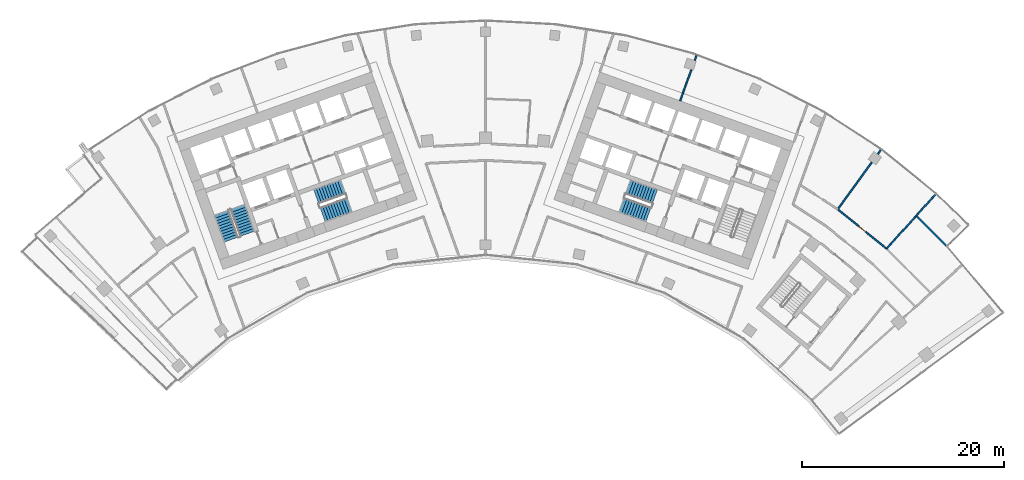
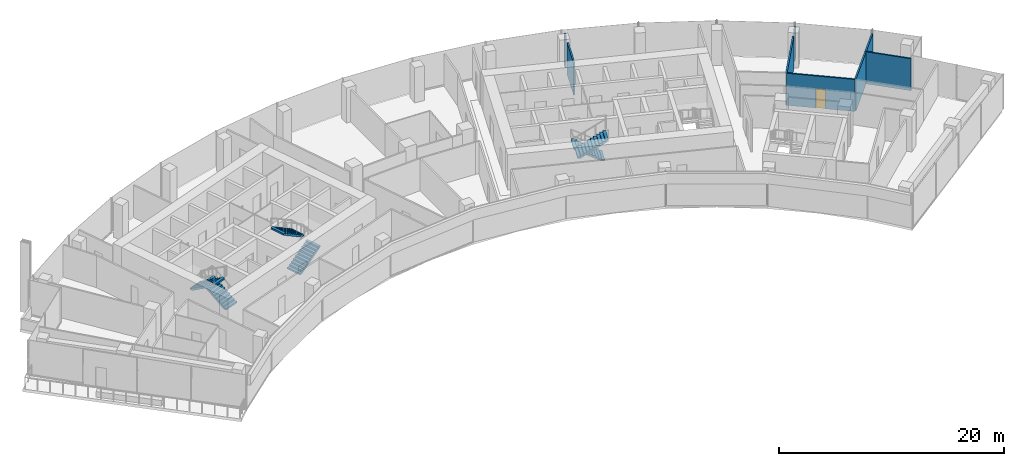
# One storey, part 17 of 20: 8 walls, 6 stair flights, 1 door, 1 opening, 3 elements without a shape of their own.
"""IFC4 building model written with IfcOpenShell, lengths in metres."""

from ifc_helpers import new_model, si_unit, direction, frame, frame_2d, origin, place, context, subcontext, project, spatial, polyline, rectangle, outline, extrude, material, layer, layer_set, type_object, element, fill, aggregate, save


model = new_model("IFC4")

# Units and contexts
model_context = context("Model", 3, precision=1e-05, world=origin(), true_north=direction((0.0, 1.0)))
body_context = subcontext(model_context, "Body", "Model", "MODEL_VIEW")
ifc_project = project(units=[si_unit("LENGTHUNIT", "METRE"), si_unit("AREAUNIT", "SQUARE_METRE"), si_unit("VOLUMEUNIT", "CUBIC_METRE"), si_unit("PLANEANGLEUNIT", "RADIAN"), si_unit("MASSUNIT", "GRAM", prefix="KILO")], contexts=[model_context])

# Site, building, storey
site_placement = place(None, origin())
site = spatial("IfcSite", under=ifc_project, at=site_placement, CompositionType="ELEMENT")
building_placement = place(site_placement, origin())
building = spatial("IfcBuilding", under=site, at=building_placement, Name="Stone Belt Terrace Tower", CompositionType="ELEMENT")
storey_placement = place(building_placement, frame((0.0, 0.0, 216.199951171875)))
storey = spatial("IfcBuildingStorey", under=building, at=storey_placement, Name="L52", CompositionType="ELEMENT", Elevation=216.199951171875)

# Walls
ifc_material_1 = material(Name="Gypsum board partition")
ifc_layer = layer(ifc_material_1, 0.14990234375)
ifc_layer_set = layer_set([ifc_layer], Name="PARTITION 150 EI 60")
wall_type = type_object("IfcWallType", Name="PARTITION 150 EI 60", PredefinedType="PARTITIONING", material=ifc_layer_set)
wall_1_placement = place(storey_placement, frame((20.850830078125, 63.129150390625, 0.0), z_axis=(0.0, 0.0, 1.0), x_axis=(-0.338454301599, -0.940982829667, 0.0)))
element("IfcWall", 1, at=wall_1_placement, inside=storey, type_object=wall_type, Name="L52/wall/i030", PredefinedType="PARTITIONING", context=body_context, shape_type="SweptSolid", body=[
    extrude(rectangle(XDim=0.489013671875, YDim=0.14990234375, at=frame_2d((0.24462890625, 0.0))), origin(), (0.0, 0.0, 1.0), 3.47998046875),
])
wall_2_placement = place(storey_placement, frame((20.343017578125, 61.71826171875, 0.0), z_axis=(0.0, 0.0, 1.0), x_axis=(-0.33855509188, -0.940946571152, 0.0)))
element("IfcWall", 2, at=wall_2_placement, inside=storey, type_object=wall_type, Name="L52/wall/i031", PredefinedType="PARTITIONING", context=body_context, shape_type="SweptSolid", body=[
    extrude(rectangle(XDim=3.260986328125, YDim=0.14990234375, at=frame_2d((1.63037109375, 0.0))), origin(), (0.0, 0.0, 1.0), 3.47998046875),
])

# Wall, opening, door
wall_3_placement = place(storey_placement, frame((34.823974609375, 47.931884765625, 0.0), z_axis=(0.0, 0.0, 1.0), x_axis=(0.777176112755, -0.629283155473, 0.0)))
wall_3 = element("IfcWall", 3, at=wall_3_placement, inside=storey, type_object=wall_type, Name="L52/wall/i062", PredefinedType="PARTITIONING", context=body_context, shape_type="SweptSolid", body=[
    extrude(rectangle(XDim=6.2021484375, YDim=0.14990234375, at=frame_2d((3.10107421875, 0.0))), origin(), (0.0, 0.0, 1.0), 3.47998046875),
])
opening_placement = place(wall_3_placement, frame((2.651123046875, 0.0, 0.0)))
opening = element("IfcOpeningElement", 4, at=opening_placement, cuts=wall_3, Name="Opening D-D3-21", PredefinedType="OPENING", context=body_context, shape_type="SweptSolid", body=[
    extrude(rectangle(XDim=0.89990234375, YDim=2.10009765625, at=frame_2d((0.449951171875, 1.050048828125))), frame((0.0, 0.0849609375, 0.0), z_axis=(0.0, -1.0, 0.0), x_axis=(1.0, 0.0, 0.0)), (0.0, 0.0, 1.0), 0.169921875),
])
ifc_material_2 = material(Name="Timber door leaf", Category="wood")
door_type = type_object("IfcDoorType", Name="OFFICE DOOR 900 X 2100", OperationType="NOTDEFINED", PredefinedType="DOOR", material=ifc_material_2)
door_placement = place(opening_placement, origin())
door = element("IfcDoor", 5, at=door_placement, inside=storey, type_object=door_type, Name="L52/door/i21", OperationType="SINGLE_SWING_RIGHT", OverallHeight=2.10009765625, OverallWidth=0.89990234375, PredefinedType="DOOR", context=body_context, shape_type="SweptSolid", body=[
    extrude(rectangle(XDim=0.89990234375, YDim=2.10009765625, at=frame_2d((0.449951171875, 1.050048828125))), frame((0.0, 0.02490234375, 0.0), z_axis=(0.0, -1.0, 0.0), x_axis=(1.0, 0.0, 0.0)), (0.0, 0.0, 1.0), 0.050048828125),
])
fill(opening, door)

# Walls
wall_4_placement = place(storey_placement, frame((39.087890625, 53.7998046875, 0.0), z_axis=(0.0, 0.0, 1.0), x_axis=(-0.588057050604, -0.808819451568, 0.0)))
element("IfcWall", 6, at=wall_4_placement, inside=storey, type_object=wall_type, Name="L52/wall/i064", PredefinedType="PARTITIONING", context=body_context, shape_type="SweptSolid", body=[
    extrude(rectangle(XDim=0.506591796875, YDim=0.14990234375, at=frame_2d((0.25341796875, 0.0))), origin(), (0.0, 0.0, 1.0), 3.47998046875),
])
wall_5_placement = place(storey_placement, frame((38.196533203125, 52.572998046875, 0.0), z_axis=(0.0, 0.0, 1.0), x_axis=(-0.587741422295, -0.809048836918, 0.0)))
element("IfcWall", 7, at=wall_5_placement, inside=storey, type_object=wall_type, Name="L52/wall/i065", PredefinedType="PARTITIONING", context=body_context, shape_type="SweptSolid", body=[
    extrude(rectangle(XDim=5.736572265625, YDim=0.14990234375, at=frame_2d((2.8681640625, 0.0))), origin(), (0.0, 0.0, 1.0), 3.47998046875),
])
wall_6_placement = place(storey_placement, frame((42.592041015625, 47.302978515625, 0.0), z_axis=(0.0, 0.0, 1.0), x_axis=(-0.669148410698, -0.743128793992, 0.0)))
element("IfcWall", 8, at=wall_6_placement, inside=storey, type_object=wall_type, Name="L52/wall/i066", PredefinedType="PARTITIONING", context=body_context, shape_type="SweptSolid", body=[
    extrude(rectangle(XDim=4.405517578125, YDim=0.14990234375, at=frame_2d((2.20263671875, 0.0))), origin(), (0.0, 0.0, 1.0), 3.47998046875),
])
wall_7_placement = place(storey_placement, frame((44.496826171875, 49.419189453125, 0.0), z_axis=(0.0, 0.0, 1.0), x_axis=(-0.669158170693, -0.743120005514, 0.0)))
element("IfcWall", 9, at=wall_7_placement, inside=storey, type_object=wall_type, Name="L52/wall/i067", PredefinedType="PARTITIONING", context=body_context, shape_type="SweptSolid", body=[
    extrude(rectangle(XDim=2.858642578125, YDim=0.14990234375, at=frame_2d((1.42919921875, 0.0))), origin(), (0.0, 0.0, 1.0), 3.47998046875),
])
wall_8_placement = place(storey_placement, frame((42.587890625, 47.299072265625, 0.0), z_axis=(0.0, 0.0, 1.0), x_axis=(0.707106781187, -0.707106781187, 0.0)))
element("IfcWall", 10, at=wall_8_placement, inside=storey, type_object=wall_type, Name="L52/wall/i068", PredefinedType="PARTITIONING", context=body_context, shape_type="SweptSolid", body=[
    extrude(rectangle(XDim=4.2099609375, YDim=0.14990234375, at=frame_2d((2.10498046875, 0.0))), origin(), (0.0, 0.0, 1.0), 3.47998046875),
])

# Stair, stair flights
ifc_material_3 = material(Name="Concrete B40", Category="concrete")
stair_type = type_object("IfcStairType", Name="Exit stair 1500", PredefinedType="HALF_TURN_STAIR", material=ifc_material_3)
stair_1_placement = place(storey_placement, origin())
stair_1 = element("IfcStair", 11, at=stair_1_placement, inside=storey, type_object=stair_type, Name="L52 Exit stair 1 core A", PredefinedType="HALF_TURN_STAIR")
stair_flight_type = type_object("IfcStairFlightType", Name="Stair flight 1500", PredefinedType="STRAIGHT", material=ifc_material_3)
stair_flight_1_placement = place(storey_placement, frame((-23.55322265625, 45.51318359375, 0.0), z_axis=(0.0, 0.0, 1.0), x_axis=(-0.338624396177, 0.940921632398, 0.0)))
stair_flight_1 = element("IfcStairFlight", 12, at=stair_flight_1_placement, type_object=stair_flight_type, Name="ST1A flight 1", NumberOfRisers=11, NumberOfTreads=10, PredefinedType="STRAIGHT", RiserHeight=0.172727273, TreadLength=0.28, context=body_context, shape_type="SweptSolid", body=[
    extrude(outline(polyline([(0.0, 0.0), (0.0, 0.172607421875), (0.280029296875, 0.172607421875), (0.280029296875, 0.345458984375), (0.56005859375, 0.345458984375), (0.56005859375, 0.51806640625), (0.840087890625, 0.51806640625), (0.840087890625, 0.69091796875), (1.1201171875, 0.69091796875), (1.1201171875, 0.863525390625), (1.39990234375, 0.863525390625), (1.39990234375, 1.036376953125), (1.679931640625, 1.036376953125), (1.679931640625, 1.208984375), (1.9599609375, 1.208984375), (1.9599609375, 1.3818359375), (2.239990234375, 1.3818359375), (2.239990234375, 1.554443359375), (2.52001953125, 1.554443359375), (2.52001953125, 1.727294921875), (2.800048828125, 1.727294921875), (2.800048828125, 1.89990234375), (2.800048828125, 1.551025390625), (0.285400390625, 0.0), (0.0, 0.0)])), frame((0.0, 0.75, 0.0), z_axis=(0.0, -1.0, 0.0), x_axis=(1.0, 0.0, 0.0)), (0.0, 0.0, 1.0), 1.5),
])
stair_flight_2_placement = place(storey_placement, frame((-26.10107421875, 47.572021484375, 1.900146484375), z_axis=(0.0, 0.0, 1.0), x_axis=(0.338624396177, -0.940921632398, 0.0)))
stair_flight_2 = element("IfcStairFlight", 13, at=stair_flight_2_placement, type_object=stair_flight_type, Name="ST1A flight 2", NumberOfRisers=11, NumberOfTreads=10, PredefinedType="STRAIGHT", RiserHeight=0.172727273, TreadLength=0.28, context=body_context, shape_type="SweptSolid", body=[
    extrude(outline(polyline([(0.0, 0.0), (0.0, 0.172607421875), (0.280029296875, 0.172607421875), (0.280029296875, 0.345458984375), (0.56005859375, 0.345458984375), (0.56005859375, 0.51806640625), (0.840087890625, 0.51806640625), (0.840087890625, 0.69091796875), (1.1201171875, 0.69091796875), (1.1201171875, 0.863525390625), (1.39990234375, 0.863525390625), (1.39990234375, 1.036376953125), (1.679931640625, 1.036376953125), (1.679931640625, 1.208984375), (1.9599609375, 1.208984375), (1.9599609375, 1.3818359375), (2.239990234375, 1.3818359375), (2.239990234375, 1.554443359375), (2.52001953125, 1.554443359375), (2.52001953125, 1.727294921875), (2.800048828125, 1.727294921875), (2.800048828125, 1.89990234375), (2.800048828125, 1.551025390625), (0.285400390625, 0.0), (0.0, 0.0)])), frame((0.0, 0.75, 0.0), z_axis=(0.0, -1.0, 0.0), x_axis=(1.0, 0.0, 0.0)), (0.0, 0.0, 1.0), 1.5),
])
aggregate(stair_1, [stair_flight_1, stair_flight_2])

stair_2_placement = place(storey_placement, origin())
stair_2 = element("IfcStair", 14, at=stair_2_placement, inside=storey, type_object=stair_type, Name="L52 Exit stair 2 core A", PredefinedType="HALF_TURN_STAIR")
stair_flight_3_placement = place(storey_placement, frame((-16.101318359375, 47.39794921875, 0.0), z_axis=(0.0, 0.0, 1.0), x_axis=(0.940921632398, 0.338624396177, 0.0)))
stair_flight_3 = element("IfcStairFlight", 15, at=stair_flight_3_placement, type_object=stair_flight_type, Name="ST2A flight 1", NumberOfRisers=11, NumberOfTreads=10, PredefinedType="STRAIGHT", RiserHeight=0.172727273, TreadLength=0.28, context=body_context, shape_type="SweptSolid", body=[
    extrude(outline(polyline([(0.0, 0.0), (0.0, 0.172607421875), (0.280029296875, 0.172607421875), (0.280029296875, 0.345458984375), (0.56005859375, 0.345458984375), (0.56005859375, 0.51806640625), (0.840087890625, 0.51806640625), (0.840087890625, 0.69091796875), (1.1201171875, 0.69091796875), (1.1201171875, 0.863525390625), (1.39990234375, 0.863525390625), (1.39990234375, 1.036376953125), (1.679931640625, 1.036376953125), (1.679931640625, 1.208984375), (1.9599609375, 1.208984375), (1.9599609375, 1.3818359375), (2.239990234375, 1.3818359375), (2.239990234375, 1.554443359375), (2.52001953125, 1.554443359375), (2.52001953125, 1.727294921875), (2.800048828125, 1.727294921875), (2.800048828125, 1.89990234375), (2.800048828125, 1.551025390625), (0.285400390625, 0.0), (0.0, 0.0)])), frame((0.0, 0.75, 0.0), z_axis=(0.0, -1.0, 0.0), x_axis=(1.0, 0.0, 0.0)), (0.0, 0.0, 1.0), 1.5),
])
stair_flight_4_placement = place(storey_placement, frame((-14.110107421875, 50.1337890625, 1.900146484375), z_axis=(0.0, 0.0, 1.0), x_axis=(-0.940921632398, -0.338624396177, 0.0)))
stair_flight_4 = element("IfcStairFlight", 16, at=stair_flight_4_placement, type_object=stair_flight_type, Name="ST2A flight 2", NumberOfRisers=11, NumberOfTreads=10, PredefinedType="STRAIGHT", RiserHeight=0.172727273, TreadLength=0.28, context=body_context, shape_type="SweptSolid", body=[
    extrude(outline(polyline([(0.0, 0.0), (0.0, 0.172607421875), (0.280029296875, 0.172607421875), (0.280029296875, 0.345458984375), (0.56005859375, 0.345458984375), (0.56005859375, 0.51806640625), (0.840087890625, 0.51806640625), (0.840087890625, 0.69091796875), (1.1201171875, 0.69091796875), (1.1201171875, 0.863525390625), (1.39990234375, 0.863525390625), (1.39990234375, 1.036376953125), (1.679931640625, 1.036376953125), (1.679931640625, 1.208984375), (1.9599609375, 1.208984375), (1.9599609375, 1.3818359375), (2.239990234375, 1.3818359375), (2.239990234375, 1.554443359375), (2.52001953125, 1.554443359375), (2.52001953125, 1.727294921875), (2.800048828125, 1.727294921875), (2.800048828125, 1.89990234375), (2.800048828125, 1.551025390625), (0.285400390625, 0.0), (0.0, 0.0)])), frame((0.0, 0.75, 0.0), z_axis=(0.0, -1.0, 0.0), x_axis=(1.0, 0.0, 0.0)), (0.0, 0.0, 1.0), 1.5),
])
aggregate(stair_2, [stair_flight_3, stair_flight_4])

stair_3_placement = place(storey_placement, origin())
stair_3 = element("IfcStair", 17, at=stair_3_placement, inside=storey, type_object=stair_type, Name="L52 Exit stair 2 core B", PredefinedType="HALF_TURN_STAIR")
stair_flight_5_placement = place(storey_placement, frame((16.74462890625, 49.185546875, 0.0), z_axis=(0.0, 0.0, 1.0), x_axis=(-0.940921632398, 0.338624396177, 0.0)))
stair_flight_5 = element("IfcStairFlight", 18, at=stair_flight_5_placement, type_object=stair_flight_type, Name="ST2B flight 1", NumberOfRisers=11, NumberOfTreads=10, PredefinedType="STRAIGHT", RiserHeight=0.172727273, TreadLength=0.28, context=body_context, shape_type="SweptSolid", body=[
    extrude(outline(polyline([(0.0, 0.0), (0.0, 0.172607421875), (0.280029296875, 0.172607421875), (0.280029296875, 0.345458984375), (0.56005859375, 0.345458984375), (0.56005859375, 0.51806640625), (0.840087890625, 0.51806640625), (0.840087890625, 0.69091796875), (1.1201171875, 0.69091796875), (1.1201171875, 0.863525390625), (1.39990234375, 0.863525390625), (1.39990234375, 1.036376953125), (1.679931640625, 1.036376953125), (1.679931640625, 1.208984375), (1.9599609375, 1.208984375), (1.9599609375, 1.3818359375), (2.239990234375, 1.3818359375), (2.239990234375, 1.554443359375), (2.52001953125, 1.554443359375), (2.52001953125, 1.727294921875), (2.800048828125, 1.727294921875), (2.800048828125, 1.89990234375), (2.800048828125, 1.551025390625), (0.285400390625, 0.0), (0.0, 0.0)])), frame((0.0, 0.75, 0.0), z_axis=(0.0, -1.0, 0.0), x_axis=(1.0, 0.0, 0.0)), (0.0, 0.0, 1.0), 1.5),
])
stair_flight_6_placement = place(storey_placement, frame((13.466796875, 48.345947265625, 1.900146484375), z_axis=(0.0, 0.0, 1.0), x_axis=(0.940921632398, -0.338624396177, 0.0)))
stair_flight_6 = element("IfcStairFlight", 19, at=stair_flight_6_placement, type_object=stair_flight_type, Name="ST2B flight 2", NumberOfRisers=11, NumberOfTreads=10, PredefinedType="STRAIGHT", RiserHeight=0.172727273, TreadLength=0.28, context=body_context, shape_type="SweptSolid", body=[
    extrude(outline(polyline([(0.0, 0.0), (0.0, 0.172607421875), (0.280029296875, 0.172607421875), (0.280029296875, 0.345458984375), (0.56005859375, 0.345458984375), (0.56005859375, 0.51806640625), (0.840087890625, 0.51806640625), (0.840087890625, 0.69091796875), (1.1201171875, 0.69091796875), (1.1201171875, 0.863525390625), (1.39990234375, 0.863525390625), (1.39990234375, 1.036376953125), (1.679931640625, 1.036376953125), (1.679931640625, 1.208984375), (1.9599609375, 1.208984375), (1.9599609375, 1.3818359375), (2.239990234375, 1.3818359375), (2.239990234375, 1.554443359375), (2.52001953125, 1.554443359375), (2.52001953125, 1.727294921875), (2.800048828125, 1.727294921875), (2.800048828125, 1.89990234375), (2.800048828125, 1.551025390625), (0.285400390625, 0.0), (0.0, 0.0)])), frame((0.0, 0.75, 0.0), z_axis=(0.0, -1.0, 0.0), x_axis=(1.0, 0.0, 0.0)), (0.0, 0.0, 1.0), 1.5),
])
aggregate(stair_3, [stair_flight_5, stair_flight_6])

save(model, "model.ifc")
